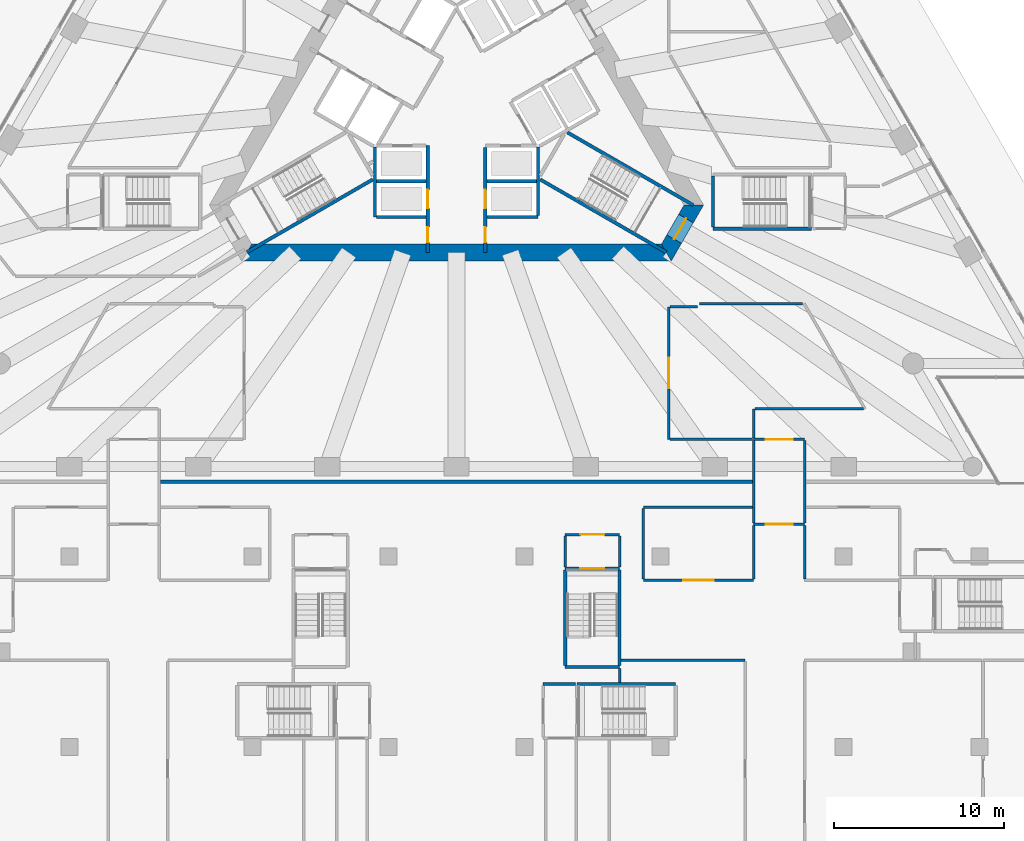
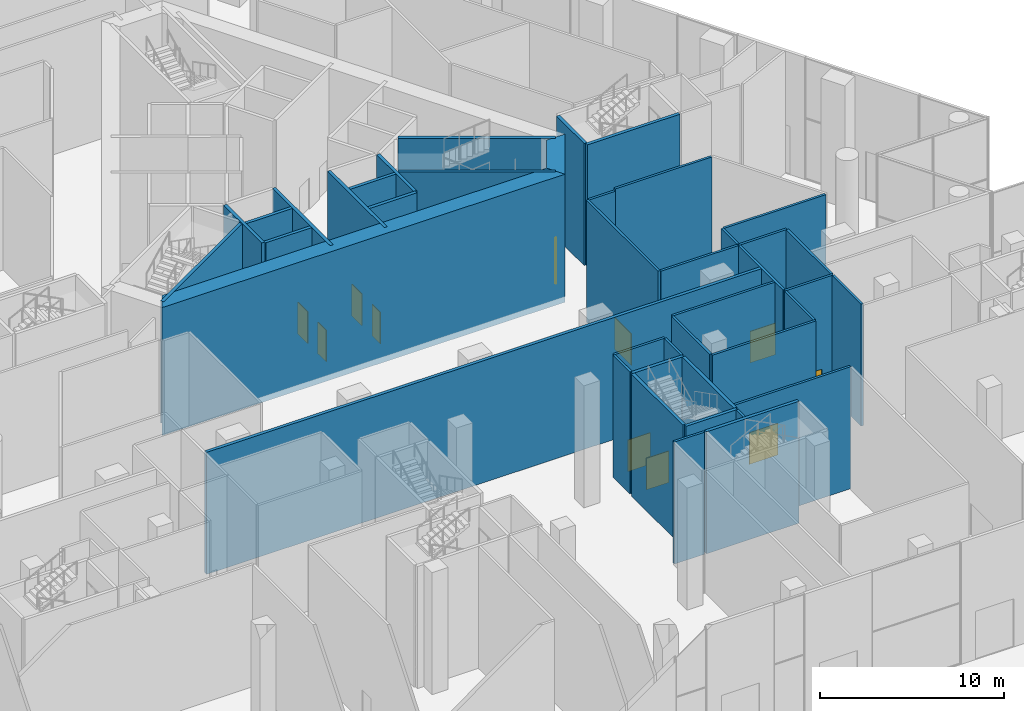
# One storey, part 23 of 41: 42 walls, 11 doors, 11 openings.
"""IFC4 building model written with IfcOpenShell, lengths in metres."""

from ifc_helpers import new_model, si_unit, direction, frame, frame_2d, origin, place, context, subcontext, project, spatial, polyline, rectangle, outline, extrude, material, layer, layer_set, type_object, element, fill, save


model = new_model("IFC4")

# Units and contexts
model_context = context("Model", 3, precision=1e-05, world=origin(), true_north=direction((0.0, 1.0)))
body_context = subcontext(model_context, "Body", "Model", "MODEL_VIEW")
ifc_project = project(units=[si_unit("LENGTHUNIT", "METRE"), si_unit("AREAUNIT", "SQUARE_METRE"), si_unit("VOLUMEUNIT", "CUBIC_METRE"), si_unit("PLANEANGLEUNIT", "RADIAN"), si_unit("MASSUNIT", "GRAM", prefix="KILO")], contexts=[model_context])

# Site, building, storey
site_placement = place(None, origin())
site = spatial("IfcSite", under=ifc_project, at=site_placement, CompositionType="ELEMENT")
building_placement = place(site_placement, origin())
building = spatial("IfcBuilding", under=site, at=building_placement, Name="Triada Interchange Tower", CompositionType="ELEMENT")
storey_placement = place(building_placement, origin())
storey = spatial("IfcBuildingStorey", under=building, at=storey_placement, Name="L00", CompositionType="ELEMENT", Elevation=0.0)

# Walls
ifc_material_1 = material(Name="Concrete C30/37", Category="concrete")
ifc_layer_1 = layer(ifc_material_1, 0.199951171875)
ifc_layer_set_1 = layer_set([ifc_layer_1], Name="COMPARTMENT WALL 200 EI 180")
wall_type_1 = type_object("IfcWallType", Name="COMPARTMENT WALL 200 EI 180", PredefinedType="SOLIDWALL", material=ifc_layer_set_1)
wall_1_placement = place(storey_placement, frame((-17.425048828125, -22.5, 0.0), z_axis=(0.0, 0.0, 1.0), x_axis=(1.0, 0.0, 0.0)))
element("IfcWall", 1, at=wall_1_placement, inside=storey, type_object=wall_type_1, Name="Compartment wall L00 78", PredefinedType="SOLIDWALL", context=body_context, shape_type="SweptSolid", body=[
    extrude(rectangle(XDim=34.85009765625, YDim=0.199951171875, at=frame_2d((17.425048828125, 0.0))), origin(), (0.0, 0.0, 1.0), 8.10009765625),
])
ifc_layer_2 = layer(ifc_material_1, 0.199951171875)
ifc_layer_set_2 = layer_set([ifc_layer_2], Name="CORE WALL 200 EI 120")
wall_type_2 = type_object("IfcWallType", Name="CORE WALL 200 EI 120", PredefinedType="SOLIDWALL", material=ifc_layer_set_2)
wall_2_placement = place(storey_placement, frame((-4.800048828125, -6.89990234375, 0.0), z_axis=(0.0, 0.0, 1.0), x_axis=(0.0, 1.0, 0.0)))
element("IfcWall", 2, at=wall_2_placement, inside=storey, type_object=wall_type_2, Name="Wall L00 147", PredefinedType="SOLIDWALL", context=body_context, shape_type="SweptSolid", body=[
    extrude(rectangle(XDim=4.130859375, YDim=0.199951171875, at=frame_2d((2.0654296875, 0.0))), origin(), (0.0, 0.0, 1.0), 8.10009765625),
])
wall_3_placement = place(storey_placement, frame((-4.699951171875, -6.89990234375, 0.0), z_axis=(0.0, 0.0, 1.0), x_axis=(1.0, 0.0, 0.0)))
element("IfcWall", 3, at=wall_3_placement, inside=storey, type_object=wall_type_2, Name="Wall L00 148", PredefinedType="SOLIDWALL", context=body_context, shape_type="SweptSolid", body=[
    extrude(rectangle(XDim=2.89990234375, YDim=0.199951171875, at=frame_2d((1.449951171875, 0.0))), origin(), (0.0, 0.0, 1.0), 8.10009765625),
])
wall_4_placement = place(storey_placement, frame((1.800048828125, -6.89990234375, 0.0), z_axis=(0.0, 0.0, 1.0), x_axis=(1.0, 0.0, 0.0)))
element("IfcWall", 4, at=wall_4_placement, inside=storey, type_object=wall_type_2, Name="Wall L00 149", PredefinedType="SOLIDWALL", context=body_context, shape_type="SweptSolid", body=[
    extrude(rectangle(XDim=3.0, YDim=0.199951171875, at=frame_2d((1.5, 0.0))), origin(), (0.0, 0.0, 1.0), 8.10009765625),
])
for number, where, z_axis, x_axis, name in (
    (5, (-4.699951171875, -4.800048828125, 0.0), (0.0, 0.0, 1.0), (1.0, 0.0, 0.0), "Wall L00 150"),
    (6, (1.800048828125, -4.800048828125, 0.0), (0.0, 0.0, 1.0), (1.0, 0.0, 0.0), "Wall L00 151"),
):
    element("IfcWall", number, at=place(storey_placement, frame(where, z_axis=z_axis, x_axis=x_axis)), inside=storey, type_object=wall_type_2, Name=name, PredefinedType="SOLIDWALL", context=body_context, shape_type="SweptSolid", body=[
        extrude(rectangle(XDim=2.89990234375, YDim=0.199951171875, at=frame_2d((1.449951171875, 0.0))), origin(), (0.0, 0.0, 1.0), 8.10009765625),
    ])

# Wall, openings, doors
wall_5_placement = place(storey_placement, frame((-1.699951171875, -8.97998046875, 0.0), z_axis=(0.0, 0.0, 1.0), x_axis=(0.0, 1.0, 0.0)))
wall_5 = element("IfcWall", 7, at=wall_5_placement, inside=storey, type_object=wall_type_2, Name="Wall L00 152", PredefinedType="SOLIDWALL", context=body_context, shape_type="SweptSolid", body=[
    extrude(rectangle(XDim=6.277099609375, YDim=0.199951171875, at=frame_2d((3.138671875, 0.0))), origin(), (0.0, 0.0, 1.0), 8.10009765625),
])
opening_1_placement = place(wall_5_placement, frame((2.580078125, 0.0, 0.0)))
opening_1 = element("IfcOpeningElement", 8, at=opening_1_placement, cuts=wall_5, Name="Opening LD-LR4", PredefinedType="OPENING", context=body_context, shape_type="SweptSolid", body=[
    extrude(rectangle(XDim=1.10009765625, YDim=2.10009765625, at=frame_2d((0.550048828125, 1.050048828125))), frame((0.0, 0.10986328125, 0.0), z_axis=(0.0, -1.0, 0.0), x_axis=(1.0, 0.0, 0.0)), (0.0, 0.0, 1.0), 0.219970703125),
])
opening_2_placement = place(wall_5_placement, frame((0.580078125, 0.0, 0.0)))
opening_2 = element("IfcOpeningElement", 9, at=opening_2_placement, cuts=wall_5, Name="Opening D00-58", PredefinedType="OPENING", context=body_context, shape_type="SweptSolid", body=[
    extrude(rectangle(XDim=0.89990234375, YDim=2.10009765625, at=frame_2d((0.449951171875, 1.050048828125))), frame((0.0, 0.10986328125, 0.0), z_axis=(0.0, -1.0, 0.0), x_axis=(1.0, 0.0, 0.0)), (0.0, 0.0, 1.0), 0.219970703125),
])
ifc_material_2 = material(Name="Steel S235 door leaf", Category="steel")
door_type_1 = type_object("IfcDoorType", Name="LIFT LANDING DOOR 1100 EI 120", OperationType="SLIDING_TO_LEFT", PredefinedType="DOOR", material=ifc_material_2)
door_1_placement = place(opening_1_placement, origin())
door_1 = element("IfcDoor", 10, at=door_1_placement, inside=storey, type_object=door_type_1, Name="LR4 landing door L00", OperationType="SLIDING_TO_LEFT", OverallHeight=2.10009765625, OverallWidth=1.10009765625, PredefinedType="DOOR", context=body_context, shape_type="SweptSolid", body=[
    extrude(rectangle(XDim=1.10009765625, YDim=2.10009765625, at=frame_2d((0.550048828125, 1.050048828125))), frame((0.0, 0.02490234375, 0.0), z_axis=(0.0, -1.0, 0.0), x_axis=(1.0, 0.0, 0.0)), (0.0, 0.0, 1.0), 0.050048828125),
])
fill(opening_1, door_1)
door_type_2 = type_object("IfcDoorType", Name="SERVICE DOOR 900 EI2 45-C5S200", OperationType="NOTDEFINED", PredefinedType="DOOR", material=ifc_material_2)
door_2_placement = place(opening_2_placement, origin())
door_2 = element("IfcDoor", 11, at=door_2_placement, inside=storey, type_object=door_type_2, Name="Door D00-58 L00", OperationType="SINGLE_SWING_RIGHT", OverallHeight=2.10009765625, OverallWidth=0.89990234375, PredefinedType="DOOR", context=body_context, shape_type="SweptSolid", body=[
    extrude(rectangle(XDim=0.89990234375, YDim=2.10009765625, at=frame_2d((0.449951171875, 1.050048828125))), frame((0.0, 0.02490234375, 0.0), z_axis=(0.0, -1.0, 0.0), x_axis=(1.0, 0.0, 0.0)), (0.0, 0.0, 1.0), 0.050048828125),
])
fill(opening_2, door_2)

wall_6_placement = place(storey_placement, frame((1.699951171875, -8.97998046875, 0.0), z_axis=(0.0, 0.0, 1.0), x_axis=(0.0, 1.0, 0.0)))
wall_6 = element("IfcWall", 12, at=wall_6_placement, inside=storey, type_object=wall_type_2, Name="Wall L00 159", PredefinedType="SOLIDWALL", context=body_context, shape_type="SweptSolid", body=[
    extrude(rectangle(XDim=6.177001953125, YDim=0.199951171875, at=frame_2d((3.08837890625, 0.0))), origin(), (0.0, 0.0, 1.0), 8.10009765625),
])
opening_3_placement = place(wall_6_placement, frame((2.580078125, 0.0, 0.0)))
opening_3 = element("IfcOpeningElement", 13, at=opening_3_placement, cuts=wall_6, Name="Opening LD-LR2", PredefinedType="OPENING", context=body_context, shape_type="SweptSolid", body=[
    extrude(rectangle(XDim=1.10009765625, YDim=2.10009765625, at=frame_2d((0.550048828125, 1.050048828125))), frame((0.0, 0.10986328125, 0.0), z_axis=(0.0, -1.0, 0.0), x_axis=(1.0, 0.0, 0.0)), (0.0, 0.0, 1.0), 0.219970703125),
])
opening_4_placement = place(wall_6_placement, frame((0.580078125, 0.0, 0.0)))
opening_4 = element("IfcOpeningElement", 14, at=opening_4_placement, cuts=wall_6, Name="Opening D00-61", PredefinedType="OPENING", context=body_context, shape_type="SweptSolid", body=[
    extrude(rectangle(XDim=0.89990234375, YDim=2.10009765625, at=frame_2d((0.449951171875, 1.050048828125))), frame((0.0, 0.10986328125, 0.0), z_axis=(0.0, -1.0, 0.0), x_axis=(1.0, 0.0, 0.0)), (0.0, 0.0, 1.0), 0.219970703125),
])
door_3_placement = place(opening_3_placement, origin())
door_3 = element("IfcDoor", 15, at=door_3_placement, inside=storey, type_object=door_type_1, Name="LR2 landing door L00", OperationType="SLIDING_TO_LEFT", OverallHeight=2.10009765625, OverallWidth=1.10009765625, PredefinedType="DOOR", context=body_context, shape_type="SweptSolid", body=[
    extrude(rectangle(XDim=1.10009765625, YDim=2.10009765625, at=frame_2d((0.550048828125, 1.050048828125))), frame((0.0, 0.02490234375, 0.0), z_axis=(0.0, -1.0, 0.0), x_axis=(1.0, 0.0, 0.0)), (0.0, 0.0, 1.0), 0.050048828125),
])
fill(opening_3, door_3)
door_4_placement = place(opening_4_placement, origin())
door_4 = element("IfcDoor", 16, at=door_4_placement, inside=storey, type_object=door_type_2, Name="Door D00-61 L00", OperationType="SINGLE_SWING_LEFT", OverallHeight=2.10009765625, OverallWidth=0.89990234375, PredefinedType="DOOR", context=body_context, shape_type="SweptSolid", body=[
    extrude(rectangle(XDim=0.89990234375, YDim=2.10009765625, at=frame_2d((0.449951171875, 1.050048828125))), frame((0.0, 0.02490234375, 0.0), z_axis=(0.0, -1.0, 0.0), x_axis=(1.0, 0.0, 0.0)), (0.0, 0.0, 1.0), 0.050048828125),
])
fill(opening_4, door_4)

# Walls
wall_7_placement = place(storey_placement, frame((4.800048828125, -6.800048828125, 0.0), z_axis=(0.0, 0.0, 1.0), x_axis=(0.0, 1.0, 0.0)))
element("IfcWall", 17, at=wall_7_placement, inside=storey, type_object=wall_type_2, Name="Wall L00 160", PredefinedType="SOLIDWALL", context=body_context, shape_type="SweptSolid", body=[
    extrude(rectangle(XDim=4.029052734375, YDim=0.199951171875, at=frame_2d((2.0146484375, 0.0))), origin(), (0.0, 0.0, 1.0), 8.10009765625),
])
ifc_layer_3 = layer(ifc_material_1, 0.199951171875)
ifc_layer_set_3 = layer_set([ifc_layer_3], Name="CORE WALL 200 REI 240")
wall_type_3 = type_object("IfcWallType", Name="CORE WALL 200 REI 240", PredefinedType="SOLIDWALL", material=ifc_layer_set_3)
wall_8_placement = place(storey_placement, frame((-12.345947265625, -8.97607421875, 0.0), z_axis=(0.0, 0.0, 1.0), x_axis=(0.865987152174, 0.50006624788, 0.0)))
element("IfcWall", 18, at=wall_8_placement, inside=storey, type_object=wall_type_3, Name="Wall L00 186", PredefinedType="SOLIDWALL", context=body_context, shape_type="SweptSolid", body=[
    extrude(rectangle(XDim=8.564697265625, YDim=0.199951171875, at=frame_2d((4.2822265625, 0.0))), origin(), (0.0, 0.0, 1.0), 8.10009765625),
])
wall_9_placement = place(storey_placement, frame((6.529052734375, -1.922119140625, 0.0), z_axis=(0.0, 0.0, 1.0), x_axis=(0.866036527536, -0.499980732602, 0.0)))
element("IfcWall", 19, at=wall_9_placement, inside=storey, type_object=wall_type_3, Name="Wall L00 191", PredefinedType="SOLIDWALL", context=body_context, shape_type="SweptSolid", body=[
    extrude(rectangle(XDim=8.564208984375, YDim=0.199951171875, at=frame_2d((4.2822265625, 0.0))), origin(), (0.0, 0.0, 1.0), 8.10009765625),
])
wall_10_placement = place(storey_placement, frame((4.928955078125, -4.693115234375, 0.0), z_axis=(0.0, 0.0, 1.0), x_axis=(0.865987152174, -0.50006624788, 0.0)))
element("IfcWall", 20, at=wall_10_placement, inside=storey, type_object=wall_type_3, Name="Wall L00 192", PredefinedType="SOLIDWALL", context=body_context, shape_type="SweptSolid", body=[
    extrude(rectangle(XDim=8.564697265625, YDim=0.199951171875, at=frame_2d((4.2822265625, 0.0))), origin(), (0.0, 0.0, 1.0), 8.10009765625),
])
for number, where, z_axis, x_axis, name in (
    (21, (15.10009765625, -7.60009765625, 0.0), (0.0, 0.0, 1.0), (1.0, 0.0, 0.0), "Wall L00 204"),
    (22, (7.10009765625, -34.39990234375, 0.0), (0.0, 0.0, 1.0), (1.0, 0.0, 0.0), "Wall L00 206"),
):
    element("IfcWall", number, at=place(storey_placement, frame(where, z_axis=z_axis, x_axis=x_axis)), inside=storey, type_object=wall_type_3, Name=name, PredefinedType="SOLIDWALL", context=body_context, shape_type="SweptSolid", body=[
        extrude(rectangle(XDim=5.7998046875, YDim=0.199951171875, at=frame_2d((2.89990234375, 0.0))), origin(), (0.0, 0.0, 1.0), 8.10009765625),
    ])

# Wall, opening, door
wall_11_placement = place(storey_placement, frame((6.39990234375, -27.60009765625, 0.0), z_axis=(0.0, 0.0, 1.0), x_axis=(1.0, 0.0, 0.0)))
wall_11 = element("IfcWall", 23, at=wall_11_placement, inside=storey, type_object=wall_type_3, Name="Wall L00 213", PredefinedType="SOLIDWALL", context=body_context, shape_type="SweptSolid", body=[
    extrude(rectangle(XDim=3.2001953125, YDim=0.199951171875, at=frame_2d((1.60009765625, 0.0))), origin(), (0.0, 0.0, 1.0), 8.10009765625),
])
opening_5_placement = place(wall_11_placement, frame((0.89990234375, 0.0, 0.0)))
opening_5 = element("IfcOpeningElement", 24, at=opening_5_placement, cuts=wall_11, Name="Opening D00-29", PredefinedType="OPENING", context=body_context, shape_type="SweptSolid", body=[
    extrude(rectangle(XDim=1.39990234375, YDim=2.10009765625, at=frame_2d((0.699951171875, 1.050048828125))), frame((0.0, 0.10986328125, 0.0), z_axis=(0.0, -1.0, 0.0), x_axis=(1.0, 0.0, 0.0)), (0.0, 0.0, 1.0), 0.219970703125),
])
door_type_3 = type_object("IfcDoorType", Name="STAIR DOOR 1400 EI2 90-C5S200", OperationType="DOUBLE_DOOR_SINGLE_SWING", PredefinedType="DOOR", material=ifc_material_2)
door_5_placement = place(opening_5_placement, origin())
door_5 = element("IfcDoor", 25, at=door_5_placement, inside=storey, type_object=door_type_3, Name="Door D00-29 L00", OperationType="DOUBLE_DOOR_SINGLE_SWING", OverallHeight=2.10009765625, OverallWidth=1.39990234375, PredefinedType="DOOR", context=body_context, shape_type="SweptSolid", body=[
    extrude(rectangle(XDim=1.39990234375, YDim=2.10009765625, at=frame_2d((0.699951171875, 1.050048828125))), frame((0.0, 0.02490234375, 0.0), z_axis=(0.0, -1.0, 0.0), x_axis=(1.0, 0.0, 0.0)), (0.0, 0.0, 1.0), 0.050048828125),
])
fill(opening_5, door_5)

# Walls
wall_12_placement = place(storey_placement, frame((6.39990234375, -33.39990234375, 0.0), z_axis=(0.0, 0.0, 1.0), x_axis=(1.0, 0.0, 0.0)))
element("IfcWall", 26, at=wall_12_placement, inside=storey, type_object=wall_type_3, Name="Wall L00 216", PredefinedType="SOLIDWALL", context=body_context, shape_type="SweptSolid", body=[
    extrude(rectangle(XDim=3.2001953125, YDim=0.199951171875, at=frame_2d((1.60009765625, 0.0))), origin(), (0.0, 0.0, 1.0), 8.10009765625),
])
wall_13_placement = place(storey_placement, frame((9.60009765625, -33.300048828125, 0.0), z_axis=(0.0, 0.0, 1.0), x_axis=(0.0, 1.0, 0.0)))
element("IfcWall", 27, at=wall_13_placement, inside=storey, type_object=wall_type_3, Name="Wall L00 217", PredefinedType="SOLIDWALL", context=body_context, shape_type="SweptSolid", body=[
    extrude(rectangle(XDim=5.60009765625, YDim=0.199951171875, at=frame_2d((2.800048828125, 0.0))), origin(), (0.0, 0.0, 1.0), 8.10009765625),
])
wall_14_placement = place(storey_placement, frame((6.39990234375, -33.300048828125, 0.0), z_axis=(0.0, 0.0, 1.0), x_axis=(0.0, 1.0, 0.0)))
element("IfcWall", 28, at=wall_14_placement, inside=storey, type_object=wall_type_3, Name="Wall L00 218", PredefinedType="SOLIDWALL", context=body_context, shape_type="SweptSolid", body=[
    extrude(rectangle(XDim=5.59814453125, YDim=0.199951171875, at=frame_2d((2.799072265625, 0.0))), origin(), (0.0, 0.0, 1.0), 8.10009765625),
])
wall_15_placement = place(storey_placement, frame((15.10009765625, -7.5, 0.0), z_axis=(0.0, 0.0, 1.0), x_axis=(0.0, 1.0, 0.0)))
element("IfcWall", 29, at=wall_15_placement, inside=storey, type_object=wall_type_3, Name="Wall L00 222", PredefinedType="SOLIDWALL", context=body_context, shape_type="SweptSolid", body=[
    extrude(rectangle(XDim=3.0, YDim=0.199951171875, at=frame_2d((1.5, 0.0))), origin(), (0.0, 0.0, 1.0), 8.10009765625),
])
ifc_material_3 = material(Name="Concrete C70/85", Category="concrete")
ifc_layer_4 = layer(ifc_material_3, 1.0)
ifc_layer_set_4 = layer_set([ifc_layer_4], Name="Core wall P 1000")
wall_type_4 = type_object("IfcWallType", Name="Core wall P 1000", PredefinedType="SHEAR", material=ifc_layer_set_4)
wall_16_placement = place(storey_placement, frame((-12.35498046875, -9.0, -0.39990234375), z_axis=(0.0, 0.0, 1.0), x_axis=(1.0, 0.0, 0.0)))
element("IfcWall", 30, at=wall_16_placement, inside=storey, type_object=wall_type_4, Name="Core wall WP04 L00", PredefinedType="SHEAR", context=body_context, shape_type="SweptSolid", body=[
    extrude(outline(polyline([(-0.2890625, -0.5), (1.65625, -0.5), (3.601318359375, -0.5), (5.546630859375, -0.5), (7.491943359375, -0.5), (9.43701171875, -0.5), (11.38232421875, -0.5), (13.32763671875, -0.5), (15.27294921875, -0.5), (17.218017578125, -0.5), (19.163330078125, -0.5), (21.108642578125, -0.5), (23.0537109375, -0.5), (24.9990234375, -0.5), (24.422119140625, 0.5), (22.565673828125, 0.5), (20.709228515625, 0.5), (18.852783203125, 0.5), (16.996337890625, 0.5), (15.139892578125, 0.5), (13.283447265625, 0.5), (11.4267578125, 0.5), (9.5703125, 0.5), (7.7138671875, 0.5), (5.857421875, 0.5), (4.0009765625, 0.5), (2.14453125, 0.5), (0.2880859375, 0.5), (-0.2890625, -0.5)])), origin(), (0.0, 0.0, 1.0), 8.5),
])

# Wall, opening, door
wall_17_placement = place(storey_placement, frame((12.35498046875, -9.0, -0.39990234375), z_axis=(0.0, 0.0, 1.0), x_axis=(0.500077567175, 0.865980615723, 0.0)))
wall_17 = element("IfcWall", 31, at=wall_17_placement, inside=storey, type_object=wall_type_4, Name="Core wall WP05 L00", PredefinedType="SHEAR", context=body_context, shape_type="SweptSolid", body=[
    extrude(outline(polyline([(-0.2880859375, -0.5), (1.616943359375, -0.5), (3.52197265625, -0.5), (2.945068359375, 0.5), (1.6171875, 0.49951171875), (0.2890625, 0.4990234375), (-0.2880859375, -0.5)])), origin(), (0.0, 0.0, 1.0), 8.5),
])
opening_6_placement = place(wall_17_placement, frame((0.9169921875, 0.0, 0.39990234375)))
opening_6 = element("IfcOpeningElement", 32, at=opening_6_placement, cuts=wall_17, Name="Opening D00-55", PredefinedType="OPENING", context=body_context, shape_type="SweptSolid", body=[
    extrude(rectangle(XDim=1.39990234375, YDim=2.10009765625, at=frame_2d((0.699951171875, 1.050048828125))), frame((0.0, 0.510009765625, 0.0), z_axis=(0.0, -1.0, 0.0), x_axis=(1.0, 0.0, 0.0)), (0.0, 0.0, 1.0), 1.02001953125),
])
door_6_placement = place(opening_6_placement, origin())
door_6 = element("IfcDoor", 33, at=door_6_placement, inside=storey, type_object=door_type_3, Name="Door D00-55 L00", OperationType="DOUBLE_DOOR_SINGLE_SWING", OverallHeight=2.10009765625, OverallWidth=1.39990234375, PredefinedType="DOOR", context=body_context, shape_type="SweptSolid", body=[
    extrude(rectangle(XDim=1.39990234375, YDim=2.10009765625, at=frame_2d((0.699951171875, 1.050048828125))), frame((0.0, 0.02490234375, 0.0), z_axis=(0.0, -1.0, 0.0), x_axis=(1.0, 0.0, 0.0)), (0.0, 0.0, 1.0), 0.050048828125),
])
fill(opening_6, door_6)

ifc_material_4 = material(Name="Gypsum board partition")
ifc_layer_5 = layer(ifc_material_4, 0.14990234375)
ifc_layer_set_5 = layer_set([ifc_layer_5], Name="PARTITION 150 EI 180")
wall_type_5 = type_object("IfcWallType", Name="PARTITION 150 EI 180", PredefinedType="PARTITIONING", material=ifc_layer_set_5)
wall_18_placement = place(storey_placement, frame((6.39990234375, -25.60009765625, 0.0), z_axis=(0.0, 0.0, 1.0), x_axis=(1.0, 0.0, 0.0)))
wall_18 = element("IfcWall", 34, at=wall_18_placement, inside=storey, type_object=wall_type_5, Name="Wall L00 21", PredefinedType="PARTITIONING", context=body_context, shape_type="SweptSolid", body=[
    extrude(rectangle(XDim=3.2001953125, YDim=0.14990234375, at=frame_2d((1.60009765625, 0.0))), origin(), (0.0, 0.0, 1.0), 8.10009765625),
])
opening_7_placement = place(wall_18_placement, frame((0.89990234375, 0.0, 0.0)))
opening_7 = element("IfcOpeningElement", 35, at=opening_7_placement, cuts=wall_18, Name="Opening D00-30", PredefinedType="OPENING", context=body_context, shape_type="SweptSolid", body=[
    extrude(rectangle(XDim=1.39990234375, YDim=2.10009765625, at=frame_2d((0.699951171875, 1.050048828125))), frame((0.0, 0.0849609375, 0.0), z_axis=(0.0, -1.0, 0.0), x_axis=(1.0, 0.0, 0.0)), (0.0, 0.0, 1.0), 0.169921875),
])
door_7_placement = place(opening_7_placement, origin())
door_7 = element("IfcDoor", 36, at=door_7_placement, inside=storey, type_object=door_type_3, Name="Door D00-30 L00", OperationType="DOUBLE_DOOR_SINGLE_SWING", OverallHeight=2.10009765625, OverallWidth=1.39990234375, PredefinedType="DOOR", context=body_context, shape_type="SweptSolid", body=[
    extrude(rectangle(XDim=1.39990234375, YDim=2.10009765625, at=frame_2d((0.699951171875, 1.050048828125))), frame((0.0, 0.02490234375, 0.0), z_axis=(0.0, -1.0, 0.0), x_axis=(1.0, 0.0, 0.0)), (0.0, 0.0, 1.0), 0.050048828125),
])
fill(opening_7, door_7)

# Walls
wall_19_placement = place(storey_placement, frame((5.10009765625, -34.39990234375, 0.0), z_axis=(0.0, 0.0, 1.0), x_axis=(1.0, 0.0, 0.0)))
element("IfcWall", 37, at=wall_19_placement, inside=storey, type_object=wall_type_5, Name="Wall L00 28", PredefinedType="PARTITIONING", context=body_context, shape_type="SweptSolid", body=[
    extrude(rectangle(XDim=1.89990234375, YDim=0.14990234375, at=frame_2d((0.949951171875, 0.0))), origin(), (0.0, 0.0, 1.0), 8.10009765625),
])
for number, where, z_axis, x_axis, name in (
    (38, (6.39990234375, -27.5, 0.0), (0.0, 0.0, 1.0), (0.0, 1.0, 0.0), "Wall L00 36"),
    (39, (9.60009765625, -27.5, 0.0), (0.0, 0.0, 1.0), (0.0, 1.0, 0.0), "Wall L00 37"),
):
    element("IfcWall", number, at=place(storey_placement, frame(where, z_axis=z_axis, x_axis=x_axis)), inside=storey, type_object=wall_type_5, Name=name, PredefinedType="PARTITIONING", context=body_context, shape_type="SweptSolid", body=[
        extrude(rectangle(XDim=1.824951171875, YDim=0.14990234375, at=frame_2d((0.91259765625, 0.0))), origin(), (0.0, 0.0, 1.0), 8.10009765625),
    ])

# Wall, opening, door
ifc_layer_6 = layer(ifc_material_4, 0.14990234375)
ifc_layer_set_6 = layer_set([ifc_layer_6], Name="PARTITION 150 EI 90")
wall_type_6 = type_object("IfcWallType", Name="PARTITION 150 EI 90", PredefinedType="PARTITIONING", material=ifc_layer_set_6)
wall_20_placement = place(storey_placement, frame((17.5, -20.0, 0.0), z_axis=(0.0, 0.0, 1.0), x_axis=(1.0, 0.0, 0.0)))
wall_20 = element("IfcWall", 40, at=wall_20_placement, inside=storey, type_object=wall_type_6, Name="Wall L00 51", PredefinedType="PARTITIONING", context=body_context, shape_type="SweptSolid", body=[
    extrude(rectangle(XDim=3.0, YDim=0.14990234375, at=frame_2d((1.5, 0.0))), origin(), (0.0, 0.0, 1.0), 8.10009765625),
])
opening_8_placement = place(wall_20_placement, frame((0.699951171875, 0.0, 0.0)))
opening_8 = element("IfcOpeningElement", 41, at=opening_8_placement, cuts=wall_20, Name="Opening D00-16", PredefinedType="OPENING", context=body_context, shape_type="SweptSolid", body=[
    extrude(rectangle(XDim=1.60009765625, YDim=2.10009765625, at=frame_2d((0.800048828125, 1.050048828125))), frame((0.0, 0.0849609375, 0.0), z_axis=(0.0, -1.0, 0.0), x_axis=(1.0, 0.0, 0.0)), (0.0, 0.0, 1.0), 0.169921875),
])
door_type_4 = type_object("IfcDoorType", Name="STAIR DOOR 1600 EI2 90-C5S200", OperationType="DOUBLE_DOOR_SINGLE_SWING", PredefinedType="DOOR", material=ifc_material_2)
door_8_placement = place(opening_8_placement, origin())
door_8 = element("IfcDoor", 42, at=door_8_placement, inside=storey, type_object=door_type_4, Name="Door D00-16 L00", OperationType="DOUBLE_DOOR_SINGLE_SWING", OverallHeight=2.10009765625, OverallWidth=1.60009765625, PredefinedType="DOOR", context=body_context, shape_type="SweptSolid", body=[
    extrude(rectangle(XDim=1.60009765625, YDim=2.10009765625, at=frame_2d((0.800048828125, 1.050048828125))), frame((0.0, 0.02490234375, 0.0), z_axis=(0.0, -1.0, 0.0), x_axis=(1.0, 0.0, 0.0)), (0.0, 0.0, 1.0), 0.050048828125),
])
fill(opening_8, door_8)

wall_21_placement = place(storey_placement, frame((17.5, -25.0, 0.0), z_axis=(0.0, 0.0, 1.0), x_axis=(1.0, 0.0, 0.0)))
wall_21 = element("IfcWall", 43, at=wall_21_placement, inside=storey, type_object=wall_type_6, Name="Wall L00 54", PredefinedType="PARTITIONING", context=body_context, shape_type="SweptSolid", body=[
    extrude(rectangle(XDim=3.0, YDim=0.14990234375, at=frame_2d((1.5, 0.0))), origin(), (0.0, 0.0, 1.0), 8.10009765625),
])
opening_9_placement = place(wall_21_placement, frame((0.699951171875, 0.0, 0.0)))
opening_9 = element("IfcOpeningElement", 44, at=opening_9_placement, cuts=wall_21, Name="Opening D00-15", PredefinedType="OPENING", context=body_context, shape_type="SweptSolid", body=[
    extrude(rectangle(XDim=1.60009765625, YDim=2.10009765625, at=frame_2d((0.800048828125, 1.050048828125))), frame((0.0, 0.0849609375, 0.0), z_axis=(0.0, -1.0, 0.0), x_axis=(1.0, 0.0, 0.0)), (0.0, 0.0, 1.0), 0.169921875),
])
door_9_placement = place(opening_9_placement, origin())
door_9 = element("IfcDoor", 45, at=door_9_placement, inside=storey, type_object=door_type_4, Name="Door D00-15 L00", OperationType="DOUBLE_DOOR_SINGLE_SWING", OverallHeight=2.10009765625, OverallWidth=1.60009765625, PredefinedType="DOOR", context=body_context, shape_type="SweptSolid", body=[
    extrude(rectangle(XDim=1.60009765625, YDim=2.10009765625, at=frame_2d((0.800048828125, 1.050048828125))), frame((0.0, 0.02490234375, 0.0), z_axis=(0.0, -1.0, 0.0), x_axis=(1.0, 0.0, 0.0)), (0.0, 0.0, 1.0), 0.050048828125),
])
fill(opening_9, door_9)

# Walls
for number, where, z_axis, x_axis, name in (
    (46, (17.5, -24.925048828125, 0.0), (0.0, 0.0, 1.0), (0.0, 1.0, 0.0), "Wall L00 55"),
    (47, (20.5, -24.925048828125, 0.0), (0.0, 0.0, 1.0), (0.0, 1.0, 0.0), "Wall L00 56"),
):
    element("IfcWall", number, at=place(storey_placement, frame(where, z_axis=z_axis, x_axis=x_axis)), inside=storey, type_object=wall_type_6, Name=name, PredefinedType="PARTITIONING", context=body_context, shape_type="SweptSolid", body=[
        extrude(rectangle(XDim=4.85009765625, YDim=0.14990234375, at=frame_2d((2.425048828125, 0.0))), origin(), (0.0, 0.0, 1.0), 8.10009765625),
    ])
wall_22_placement = place(storey_placement, frame((9.699951171875, -33.0, 0.0), z_axis=(0.0, 0.0, 1.0), x_axis=(1.0, 0.0, 0.0)))
element("IfcWall", 48, at=wall_22_placement, inside=storey, type_object=wall_type_6, Name="Wall L00 59", PredefinedType="PARTITIONING", context=body_context, shape_type="SweptSolid", body=[
    extrude(rectangle(XDim=7.300048828125, YDim=0.14990234375, at=frame_2d((3.64990234375, 0.0))), origin(), (0.0, 0.0, 1.0), 8.10009765625),
])

# Wall, opening, door
wall_23_placement = place(storey_placement, frame((11.0, -28.300048828125, 0.0), z_axis=(0.0, 0.0, 1.0), x_axis=(1.0, 0.0, 0.0)))
wall_23 = element("IfcWall", 49, at=wall_23_placement, inside=storey, type_object=wall_type_6, Name="Wall L00 82", PredefinedType="PARTITIONING", context=body_context, shape_type="SweptSolid", body=[
    extrude(rectangle(XDim=6.5, YDim=0.14990234375, at=frame_2d((3.25, 0.0))), origin(), (0.0, 0.0, 1.0), 8.10009765625),
])
opening_10_placement = place(wall_23_placement, frame((2.35009765625, 0.0, 0.0)))
opening_10 = element("IfcOpeningElement", 50, at=opening_10_placement, cuts=wall_23, Name="Opening D00-41", PredefinedType="OPENING", context=body_context, shape_type="SweptSolid", body=[
    extrude(rectangle(XDim=1.800048828125, YDim=2.10009765625, at=frame_2d((0.89990234375, 1.050048828125))), frame((0.0, 0.0849609375, 0.0), z_axis=(0.0, -1.0, 0.0), x_axis=(1.0, 0.0, 0.0)), (0.0, 0.0, 1.0), 0.169921875),
])
door_type_5 = type_object("IfcDoorType", Name="SHOP AND HALL ENTRANCE DOOR 1800 EI2 90-C5S200", OperationType="DOUBLE_DOOR_SINGLE_SWING", PredefinedType="DOOR", material=ifc_material_2)
door_10_placement = place(opening_10_placement, origin())
door_10 = element("IfcDoor", 51, at=door_10_placement, inside=storey, type_object=door_type_5, Name="Door D00-41 L00", OperationType="DOUBLE_DOOR_SINGLE_SWING", OverallHeight=2.10009765625, OverallWidth=1.800048828125, PredefinedType="DOOR", context=body_context, shape_type="SweptSolid", body=[
    extrude(rectangle(XDim=1.800048828125, YDim=2.10009765625, at=frame_2d((0.89990234375, 1.050048828125))), frame((0.0, 0.02490234375, 0.0), z_axis=(0.0, -1.0, 0.0), x_axis=(1.0, 0.0, 0.0)), (0.0, 0.0, 1.0), 0.050048828125),
])
fill(opening_10, door_10)

# Walls
wall_24_placement = place(storey_placement, frame((11.0, -24.0, 0.0), z_axis=(0.0, 0.0, 1.0), x_axis=(1.0, 0.0, 0.0)))
element("IfcWall", 52, at=wall_24_placement, inside=storey, type_object=wall_type_6, Name="Wall L00 87", PredefinedType="PARTITIONING", context=body_context, shape_type="SweptSolid", body=[
    extrude(rectangle(XDim=6.425048828125, YDim=0.14990234375, at=frame_2d((3.21240234375, 0.0))), origin(), (0.0, 0.0, 1.0), 8.10009765625),
])
wall_25_placement = place(storey_placement, frame((9.60009765625, -34.300048828125, 0.0), z_axis=(0.0, 0.0, 1.0), x_axis=(0.0, 1.0, 0.0)))
element("IfcWall", 53, at=wall_25_placement, inside=storey, type_object=wall_type_6, Name="Wall L00 97", PredefinedType="PARTITIONING", context=body_context, shape_type="SweptSolid", body=[
    extrude(rectangle(XDim=0.802001953125, YDim=0.14990234375, at=frame_2d((0.40087890625, 0.0))), origin(), (0.0, 0.0, 1.0), 8.10009765625),
])

# Wall, opening, door
wall_26_placement = place(storey_placement, frame((12.5, -20.0, 0.0), z_axis=(0.0, 0.0, 1.0), x_axis=(0.0, 1.0, 0.0)))
wall_26 = element("IfcWall", 54, at=wall_26_placement, inside=storey, type_object=wall_type_6, Name="Wall L00 99", PredefinedType="PARTITIONING", context=body_context, shape_type="SweptSolid", body=[
    extrude(rectangle(XDim=7.800048828125, YDim=0.14990234375, at=frame_2d((3.89990234375, 0.0))), origin(), (0.0, 0.0, 1.0), 8.10009765625),
])
opening_11_placement = place(wall_26_placement, frame((3.0, 0.0, 0.0)))
opening_11 = element("IfcOpeningElement", 55, at=opening_11_placement, cuts=wall_26, Name="Opening D00-45", PredefinedType="OPENING", context=body_context, shape_type="SweptSolid", body=[
    extrude(rectangle(XDim=1.800048828125, YDim=2.10009765625, at=frame_2d((0.89990234375, 1.050048828125))), frame((0.0, 0.0849609375, 0.0), z_axis=(0.0, -1.0, 0.0), x_axis=(1.0, 0.0, 0.0)), (0.0, 0.0, 1.0), 0.169921875),
])
door_type_6 = type_object("IfcDoorType", Name="SHOP AND HALL ENTRANCE DOOR 1800 EI2 45-C5S200", OperationType="DOUBLE_DOOR_SINGLE_SWING", PredefinedType="DOOR", material=ifc_material_2)
door_11_placement = place(opening_11_placement, origin())
door_11 = element("IfcDoor", 56, at=door_11_placement, inside=storey, type_object=door_type_6, Name="Door D00-45 L00", OperationType="DOUBLE_DOOR_SINGLE_SWING", OverallHeight=2.10009765625, OverallWidth=1.800048828125, PredefinedType="DOOR", context=body_context, shape_type="SweptSolid", body=[
    extrude(rectangle(XDim=1.800048828125, YDim=2.10009765625, at=frame_2d((0.89990234375, 1.050048828125))), frame((0.0, 0.02490234375, 0.0), z_axis=(0.0, -1.0, 0.0), x_axis=(1.0, 0.0, 0.0)), (0.0, 0.0, 1.0), 0.050048828125),
])
fill(opening_11, door_11)

# Walls
wall_27_placement = place(storey_placement, frame((17.5, -28.22509765625, 0.0), z_axis=(0.0, 0.0, 1.0), x_axis=(0.0, 1.0, 0.0)))
element("IfcWall", 57, at=wall_27_placement, inside=storey, type_object=wall_type_6, Name="Wall L00 114", PredefinedType="PARTITIONING", context=body_context, shape_type="SweptSolid", body=[
    extrude(rectangle(XDim=3.152099609375, YDim=0.14990234375, at=frame_2d((1.576171875, 0.0))), origin(), (0.0, 0.0, 1.0), 8.10009765625),
])
wall_28_placement = place(storey_placement, frame((17.5, -19.925048828125, 0.0), z_axis=(0.0, 0.0, 1.0), x_axis=(0.0, 1.0, 0.0)))
element("IfcWall", 58, at=wall_28_placement, inside=storey, type_object=wall_type_6, Name="Wall L00 115", PredefinedType="PARTITIONING", context=body_context, shape_type="SweptSolid", body=[
    extrude(rectangle(XDim=1.72509765625, YDim=0.14990234375, at=frame_2d((0.862548828125, 0.0))), origin(), (0.0, 0.0, 1.0), 8.10009765625),
])
wall_29_placement = place(storey_placement, frame((11.0, -28.22509765625, 0.0), z_axis=(0.0, 0.0, 1.0), x_axis=(0.0, 1.0, 0.0)))
element("IfcWall", 59, at=wall_29_placement, inside=storey, type_object=wall_type_6, Name="Wall L00 116", PredefinedType="PARTITIONING", context=body_context, shape_type="SweptSolid", body=[
    extrude(rectangle(XDim=4.150146484375, YDim=0.14990234375, at=frame_2d((2.0751953125, 0.0))), origin(), (0.0, 0.0, 1.0), 8.10009765625),
])
wall_30_placement = place(storey_placement, frame((20.5, -28.22509765625, 0.0), z_axis=(0.0, 0.0, 1.0), x_axis=(0.0, 1.0, 0.0)))
element("IfcWall", 60, at=wall_30_placement, inside=storey, type_object=wall_type_6, Name="Wall L00 118", PredefinedType="PARTITIONING", context=body_context, shape_type="SweptSolid", body=[
    extrude(rectangle(XDim=3.152099609375, YDim=0.14990234375, at=frame_2d((1.576171875, 0.0))), origin(), (0.0, 0.0, 1.0), 8.10009765625),
])
wall_31_placement = place(storey_placement, frame((12.574951171875, -20.0, 0.0), z_axis=(0.0, 0.0, 1.0), x_axis=(1.0, 0.0, 0.0)))
element("IfcWall", 61, at=wall_31_placement, inside=storey, type_object=wall_type_6, Name="Wall L00 135", PredefinedType="PARTITIONING", context=body_context, shape_type="SweptSolid", body=[
    extrude(rectangle(XDim=4.85009765625, YDim=0.14990234375, at=frame_2d((2.425048828125, 0.0))), origin(), (0.0, 0.0, 1.0), 8.10009765625),
])
wall_32_placement = place(storey_placement, frame((17.574951171875, -18.199951171875, 0.0), z_axis=(0.0, 0.0, 1.0), x_axis=(1.0, 0.0, 0.0)))
element("IfcWall", 62, at=wall_32_placement, inside=storey, type_object=wall_type_6, Name="Wall L00 137", PredefinedType="PARTITIONING", context=body_context, shape_type="SweptSolid", body=[
    extrude(rectangle(XDim=6.385009765625, YDim=0.14990234375, at=frame_2d((3.1923828125, 0.0))), origin(), (0.0, 0.0, 1.0), 8.10009765625),
])
wall_33_placement = place(storey_placement, frame((14.318115234375, -12.0, 0.0), z_axis=(0.0, 0.0, 1.0), x_axis=(1.0, 0.0, 0.0)))
element("IfcWall", 63, at=wall_33_placement, inside=storey, type_object=wall_type_6, Name="Wall L00 139", PredefinedType="PARTITIONING", context=body_context, shape_type="SweptSolid", body=[
    extrude(rectangle(XDim=6.06298828125, YDim=0.14990234375, at=frame_2d((3.031494140625, 0.0))), origin(), (0.0, 0.0, 1.0), 8.10009765625),
])
wall_34_placement = place(storey_placement, frame((12.574951171875, -12.199951171875, 0.0), z_axis=(0.0, 0.0, 1.0), x_axis=(1.0, 0.0, 0.0)))
element("IfcWall", 64, at=wall_34_placement, inside=storey, type_object=wall_type_6, Name="Wall L00 142", PredefinedType="PARTITIONING", context=body_context, shape_type="SweptSolid", body=[
    extrude(rectangle(XDim=1.6279296875, YDim=0.14990234375, at=frame_2d((0.81396484375, 0.0))), origin(), (0.0, 0.0, 1.0), 8.10009765625),
])

save(model, "model.ifc")
